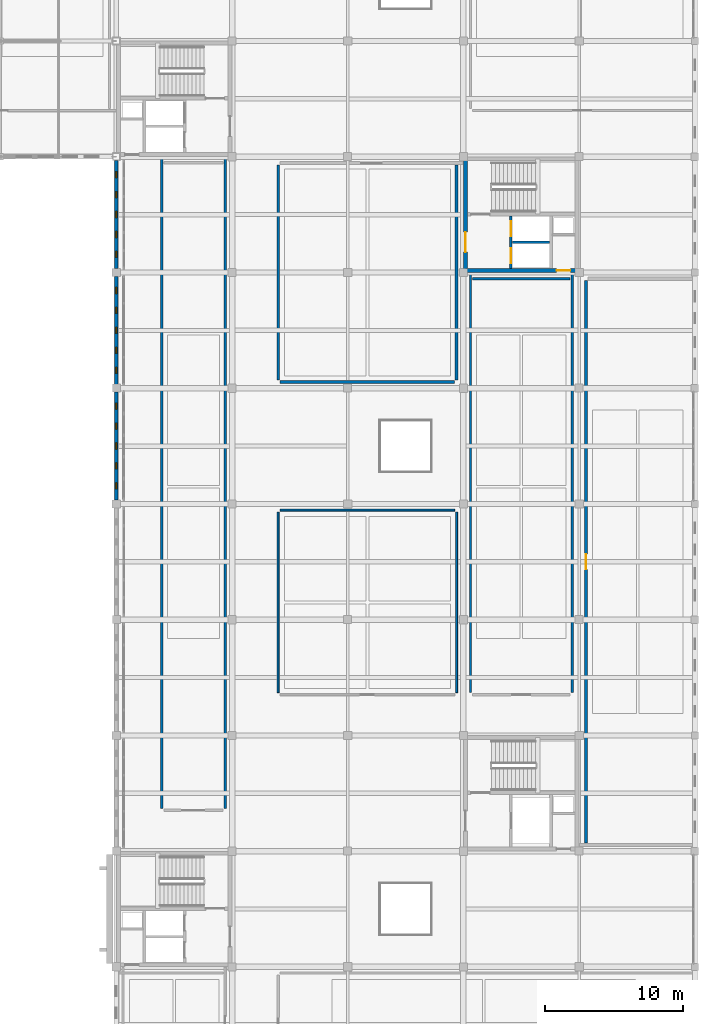
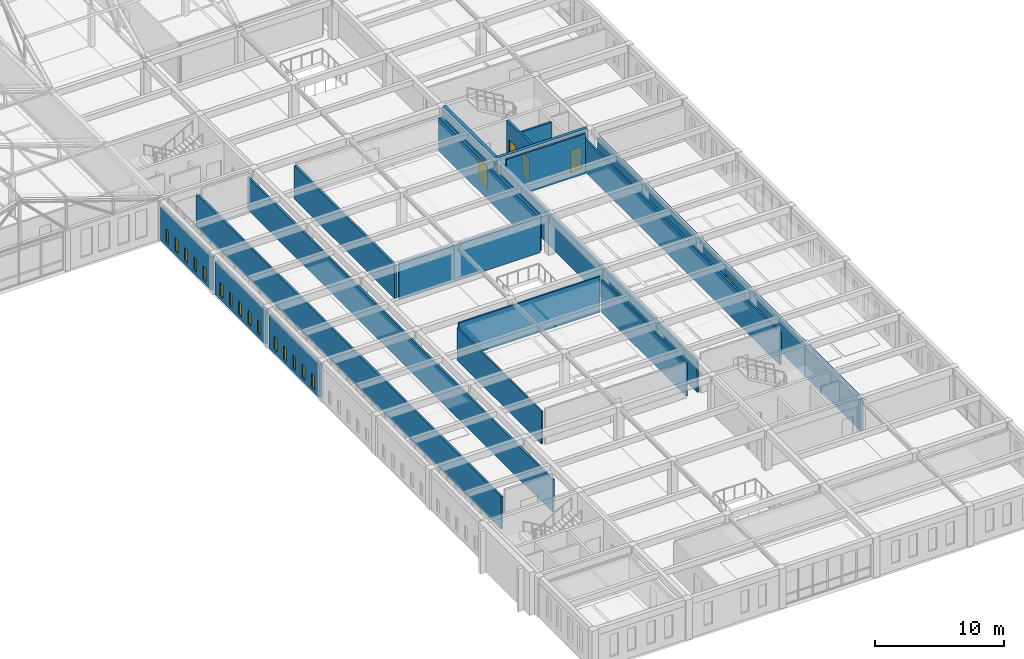
# One storey, part 45 of 56: 19 walls, 15 windows, 5 doors, 20 openings.
"""IFC4 building model written with IfcOpenShell, lengths in metres."""

from ifc_helpers import new_model, si_unit, direction, frame, frame_2d, origin, place, context, subcontext, project, spatial, rectangle, extrude, material, layer, layer_set, type_object, element, fill, save


model = new_model("IFC4")

# Units and contexts
model_context = context("Model", 3, precision=1e-05, world=origin(), true_north=direction((0.0, 1.0)))
body_context = subcontext(model_context, "Body", "Model", "MODEL_VIEW")
ifc_project = project(units=[si_unit("LENGTHUNIT", "METRE"), si_unit("AREAUNIT", "SQUARE_METRE"), si_unit("VOLUMEUNIT", "CUBIC_METRE"), si_unit("PLANEANGLEUNIT", "RADIAN"), si_unit("MASSUNIT", "GRAM", prefix="KILO")], contexts=[model_context])

# Site, building, storey
site_placement = place(None, origin())
site = spatial("IfcSite", under=ifc_project, at=site_placement, CompositionType="ELEMENT")
building_placement = place(site_placement, origin())
building = spatial("IfcBuilding", under=site, at=building_placement, Name="Kveldsbrygga Polytechnic", CompositionType="ELEMENT")
storey_placement = place(building_placement, frame((0.0, 0.0, 18.02001953125)))
storey = spatial("IfcBuildingStorey", under=building, at=storey_placement, Name="L04", CompositionType="ELEMENT", Elevation=18.02001953125)

# Wall, openings, windows
ifc_material_1 = material(Name="Fired clay brick masonry M10", Category="masonry")
ifc_layer_1 = layer(ifc_material_1, 0.239990234375)
ifc_layer_set_1 = layer_set([ifc_layer_1], Name="Fired clay brick masonry M10")
wall_type_1 = type_object("IfcWallType", Name="EW-SCRN-240", PredefinedType="SOLIDWALL", material=ifc_layer_set_1)
wall_1_placement = place(storey_placement, frame((126.0, 59.0849609375, 0.0), z_axis=(0.0, 0.0, 1.0), x_axis=(0.0, 1.0, 0.0)))
wall_1 = element("IfcWall", 1, at=wall_1_placement, inside=storey, type_object=wall_type_1, Name="Perforated Brick Corridor Screen Wall SCRW-L04-Y-15-07", PredefinedType="SOLIDWALL", context=body_context, shape_type="SweptSolid", body=[
    extrude(rectangle(XDim=7.840087890625, YDim=0.239990234375, at=frame_2d((3.919921875, 0.0))), origin(), (0.0, 0.0, 1.0), 3.179931640625),
])
opening_1_placement = place(wall_1_placement, frame((0.803955078125, 0.0, 0.35009765625)))
opening_1 = element("IfcOpeningElement", 2, at=opening_1_placement, cuts=wall_1, Name="Opening W-48", PredefinedType="OPENING", context=body_context, shape_type="SweptSolid", body=[
    extrude(rectangle(XDim=0.43994140625, YDim=1.25, at=frame_2d((0.219970703125, 0.625))), frame((0.0, 0.1298828125, 0.0), z_axis=(0.0, -1.0, 0.0), x_axis=(1.0, 0.0, 0.0)), (0.0, 0.0, 1.0), 0.260009765625),
])
opening_2_placement = place(wall_1_placement, frame((2.251953125, 0.0, 0.35009765625)))
opening_2 = element("IfcOpeningElement", 3, at=opening_2_placement, cuts=wall_1, Name="Opening W-48", PredefinedType="OPENING", context=body_context, shape_type="SweptSolid", body=[
    extrude(rectangle(XDim=0.43994140625, YDim=1.25, at=frame_2d((0.219970703125, 0.625))), frame((0.0, 0.1298828125, 0.0), z_axis=(0.0, -1.0, 0.0), x_axis=(1.0, 0.0, 0.0)), (0.0, 0.0, 1.0), 0.260009765625),
])
opening_3_placement = place(wall_1_placement, frame((3.699951171875, 0.0, 0.35009765625)))
opening_3 = element("IfcOpeningElement", 4, at=opening_3_placement, cuts=wall_1, Name="Opening W-48", PredefinedType="OPENING", context=body_context, shape_type="SweptSolid", body=[
    extrude(rectangle(XDim=0.43994140625, YDim=1.25, at=frame_2d((0.219970703125, 0.625))), frame((0.0, 0.1298828125, 0.0), z_axis=(0.0, -1.0, 0.0), x_axis=(1.0, 0.0, 0.0)), (0.0, 0.0, 1.0), 0.260009765625),
])
opening_4_placement = place(wall_1_placement, frame((5.14794921875, 0.0, 0.35009765625)))
opening_4 = element("IfcOpeningElement", 5, at=opening_4_placement, cuts=wall_1, Name="Opening W-48", PredefinedType="OPENING", context=body_context, shape_type="SweptSolid", body=[
    extrude(rectangle(XDim=0.43994140625, YDim=1.25, at=frame_2d((0.219970703125, 0.625))), frame((0.0, 0.1298828125, 0.0), z_axis=(0.0, -1.0, 0.0), x_axis=(1.0, 0.0, 0.0)), (0.0, 0.0, 1.0), 0.260009765625),
])
opening_5_placement = place(wall_1_placement, frame((6.595947265625, 0.0, 0.35009765625)))
opening_5 = element("IfcOpeningElement", 6, at=opening_5_placement, cuts=wall_1, Name="Opening W-48", PredefinedType="OPENING", context=body_context, shape_type="SweptSolid", body=[
    extrude(rectangle(XDim=0.43994140625, YDim=1.25, at=frame_2d((0.219970703125, 0.625))), frame((0.0, 0.1298828125, 0.0), z_axis=(0.0, -1.0, 0.0), x_axis=(1.0, 0.0, 0.0)), (0.0, 0.0, 1.0), 0.260009765625),
])
ifc_material_2 = material(Name="Insulated triple low-E glass", Category="glass")
window_type = type_object("IfcWindowType", Name="WN-SCRN-044x125", PartitioningType="SINGLE_PANEL", PredefinedType="WINDOW", material=ifc_material_2)
window_1_placement = place(opening_1_placement, origin())
window_1 = element("IfcWindow", 7, at=window_1_placement, inside=storey, type_object=window_type, Name="Perforated Screen Aperture L04-Y-15-07-1", OverallHeight=1.25, OverallWidth=0.43994140625, PartitioningType="SINGLE_PANEL", PredefinedType="WINDOW", context=body_context, shape_type="SweptSolid", body=[
    extrude(rectangle(XDim=0.43994140625, YDim=1.25, at=frame_2d((0.219970703125, 0.625))), frame((0.0, 0.030029296875, 0.0), z_axis=(0.0, -1.0, 0.0), x_axis=(1.0, 0.0, 0.0)), (0.0, 0.0, 1.0), 0.06005859375),
])
fill(opening_1, window_1)
window_2_placement = place(opening_2_placement, origin())
window_2 = element("IfcWindow", 8, at=window_2_placement, inside=storey, type_object=window_type, Name="Perforated Screen Aperture L04-Y-15-07-2", OverallHeight=1.25, OverallWidth=0.43994140625, PartitioningType="SINGLE_PANEL", PredefinedType="WINDOW", context=body_context, shape_type="SweptSolid", body=[
    extrude(rectangle(XDim=0.43994140625, YDim=1.25, at=frame_2d((0.219970703125, 0.625))), frame((0.0, 0.030029296875, 0.0), z_axis=(0.0, -1.0, 0.0), x_axis=(1.0, 0.0, 0.0)), (0.0, 0.0, 1.0), 0.06005859375),
])
fill(opening_2, window_2)
window_3_placement = place(opening_3_placement, origin())
window_3 = element("IfcWindow", 9, at=window_3_placement, inside=storey, type_object=window_type, Name="Perforated Screen Aperture L04-Y-15-07-3", OverallHeight=1.25, OverallWidth=0.43994140625, PartitioningType="SINGLE_PANEL", PredefinedType="WINDOW", context=body_context, shape_type="SweptSolid", body=[
    extrude(rectangle(XDim=0.43994140625, YDim=1.25, at=frame_2d((0.219970703125, 0.625))), frame((0.0, 0.030029296875, 0.0), z_axis=(0.0, -1.0, 0.0), x_axis=(1.0, 0.0, 0.0)), (0.0, 0.0, 1.0), 0.06005859375),
])
fill(opening_3, window_3)
window_4_placement = place(opening_4_placement, origin())
window_4 = element("IfcWindow", 10, at=window_4_placement, inside=storey, type_object=window_type, Name="Perforated Screen Aperture L04-Y-15-07-4", OverallHeight=1.25, OverallWidth=0.43994140625, PartitioningType="SINGLE_PANEL", PredefinedType="WINDOW", context=body_context, shape_type="SweptSolid", body=[
    extrude(rectangle(XDim=0.43994140625, YDim=1.25, at=frame_2d((0.219970703125, 0.625))), frame((0.0, 0.030029296875, 0.0), z_axis=(0.0, -1.0, 0.0), x_axis=(1.0, 0.0, 0.0)), (0.0, 0.0, 1.0), 0.06005859375),
])
fill(opening_4, window_4)
window_5_placement = place(opening_5_placement, origin())
window_5 = element("IfcWindow", 11, at=window_5_placement, inside=storey, type_object=window_type, Name="Perforated Screen Aperture L04-Y-15-07-5", OverallHeight=1.25, OverallWidth=0.43994140625, PartitioningType="SINGLE_PANEL", PredefinedType="WINDOW", context=body_context, shape_type="SweptSolid", body=[
    extrude(rectangle(XDim=0.43994140625, YDim=1.25, at=frame_2d((0.219970703125, 0.625))), frame((0.0, 0.030029296875, 0.0), z_axis=(0.0, -1.0, 0.0), x_axis=(1.0, 0.0, 0.0)), (0.0, 0.0, 1.0), 0.06005859375),
])
fill(opening_5, window_5)

wall_2_placement = place(storey_placement, frame((126.0, 67.47509765625, 0.0), z_axis=(0.0, 0.0, 1.0), x_axis=(0.0, 1.0, 0.0)))
wall_2 = element("IfcWall", 12, at=wall_2_placement, inside=storey, type_object=wall_type_1, Name="Perforated Brick Corridor Screen Wall SCRW-L04-Y-15-08", PredefinedType="SOLIDWALL", context=body_context, shape_type="SweptSolid", body=[
    extrude(rectangle(XDim=7.83984375, YDim=0.239990234375, at=frame_2d((3.919921875, 0.0))), origin(), (0.0, 0.0, 1.0), 3.179931640625),
])
opening_6_placement = place(wall_2_placement, frame((0.803955078125, 0.0, 0.35009765625)))
opening_6 = element("IfcOpeningElement", 13, at=opening_6_placement, cuts=wall_2, Name="Opening W-48", PredefinedType="OPENING", context=body_context, shape_type="SweptSolid", body=[
    extrude(rectangle(XDim=0.43994140625, YDim=1.25, at=frame_2d((0.219970703125, 0.625))), frame((0.0, 0.1298828125, 0.0), z_axis=(0.0, -1.0, 0.0), x_axis=(1.0, 0.0, 0.0)), (0.0, 0.0, 1.0), 0.260009765625),
])
opening_7_placement = place(wall_2_placement, frame((2.251953125, 0.0, 0.35009765625)))
opening_7 = element("IfcOpeningElement", 14, at=opening_7_placement, cuts=wall_2, Name="Opening W-48", PredefinedType="OPENING", context=body_context, shape_type="SweptSolid", body=[
    extrude(rectangle(XDim=0.43994140625, YDim=1.25, at=frame_2d((0.219970703125, 0.625))), frame((0.0, 0.1298828125, 0.0), z_axis=(0.0, -1.0, 0.0), x_axis=(1.0, 0.0, 0.0)), (0.0, 0.0, 1.0), 0.260009765625),
])
opening_8_placement = place(wall_2_placement, frame((3.699951171875, 0.0, 0.35009765625)))
opening_8 = element("IfcOpeningElement", 15, at=opening_8_placement, cuts=wall_2, Name="Opening W-48", PredefinedType="OPENING", context=body_context, shape_type="SweptSolid", body=[
    extrude(rectangle(XDim=0.43994140625, YDim=1.25, at=frame_2d((0.219970703125, 0.625))), frame((0.0, 0.1298828125, 0.0), z_axis=(0.0, -1.0, 0.0), x_axis=(1.0, 0.0, 0.0)), (0.0, 0.0, 1.0), 0.260009765625),
])
opening_9_placement = place(wall_2_placement, frame((5.14794921875, 0.0, 0.35009765625)))
opening_9 = element("IfcOpeningElement", 16, at=opening_9_placement, cuts=wall_2, Name="Opening W-48", PredefinedType="OPENING", context=body_context, shape_type="SweptSolid", body=[
    extrude(rectangle(XDim=0.43994140625, YDim=1.25, at=frame_2d((0.219970703125, 0.625))), frame((0.0, 0.1298828125, 0.0), z_axis=(0.0, -1.0, 0.0), x_axis=(1.0, 0.0, 0.0)), (0.0, 0.0, 1.0), 0.260009765625),
])
opening_10_placement = place(wall_2_placement, frame((6.595947265625, 0.0, 0.35009765625)))
opening_10 = element("IfcOpeningElement", 17, at=opening_10_placement, cuts=wall_2, Name="Opening W-48", PredefinedType="OPENING", context=body_context, shape_type="SweptSolid", body=[
    extrude(rectangle(XDim=0.43994140625, YDim=1.25, at=frame_2d((0.219970703125, 0.625))), frame((0.0, 0.1298828125, 0.0), z_axis=(0.0, -1.0, 0.0), x_axis=(1.0, 0.0, 0.0)), (0.0, 0.0, 1.0), 0.260009765625),
])
window_6_placement = place(opening_6_placement, origin())
window_6 = element("IfcWindow", 18, at=window_6_placement, inside=storey, type_object=window_type, Name="Perforated Screen Aperture L04-Y-15-08-1", OverallHeight=1.25, OverallWidth=0.43994140625, PartitioningType="SINGLE_PANEL", PredefinedType="WINDOW", context=body_context, shape_type="SweptSolid", body=[
    extrude(rectangle(XDim=0.43994140625, YDim=1.25, at=frame_2d((0.219970703125, 0.625))), frame((0.0, 0.030029296875, 0.0), z_axis=(0.0, -1.0, 0.0), x_axis=(1.0, 0.0, 0.0)), (0.0, 0.0, 1.0), 0.06005859375),
])
fill(opening_6, window_6)
window_7_placement = place(opening_7_placement, origin())
window_7 = element("IfcWindow", 19, at=window_7_placement, inside=storey, type_object=window_type, Name="Perforated Screen Aperture L04-Y-15-08-2", OverallHeight=1.25, OverallWidth=0.43994140625, PartitioningType="SINGLE_PANEL", PredefinedType="WINDOW", context=body_context, shape_type="SweptSolid", body=[
    extrude(rectangle(XDim=0.43994140625, YDim=1.25, at=frame_2d((0.219970703125, 0.625))), frame((0.0, 0.030029296875, 0.0), z_axis=(0.0, -1.0, 0.0), x_axis=(1.0, 0.0, 0.0)), (0.0, 0.0, 1.0), 0.06005859375),
])
fill(opening_7, window_7)
window_8_placement = place(opening_8_placement, origin())
window_8 = element("IfcWindow", 20, at=window_8_placement, inside=storey, type_object=window_type, Name="Perforated Screen Aperture L04-Y-15-08-3", OverallHeight=1.25, OverallWidth=0.43994140625, PartitioningType="SINGLE_PANEL", PredefinedType="WINDOW", context=body_context, shape_type="SweptSolid", body=[
    extrude(rectangle(XDim=0.43994140625, YDim=1.25, at=frame_2d((0.219970703125, 0.625))), frame((0.0, 0.030029296875, 0.0), z_axis=(0.0, -1.0, 0.0), x_axis=(1.0, 0.0, 0.0)), (0.0, 0.0, 1.0), 0.06005859375),
])
fill(opening_8, window_8)
window_9_placement = place(opening_9_placement, origin())
window_9 = element("IfcWindow", 21, at=window_9_placement, inside=storey, type_object=window_type, Name="Perforated Screen Aperture L04-Y-15-08-4", OverallHeight=1.25, OverallWidth=0.43994140625, PartitioningType="SINGLE_PANEL", PredefinedType="WINDOW", context=body_context, shape_type="SweptSolid", body=[
    extrude(rectangle(XDim=0.43994140625, YDim=1.25, at=frame_2d((0.219970703125, 0.625))), frame((0.0, 0.030029296875, 0.0), z_axis=(0.0, -1.0, 0.0), x_axis=(1.0, 0.0, 0.0)), (0.0, 0.0, 1.0), 0.06005859375),
])
fill(opening_9, window_9)
window_10_placement = place(opening_10_placement, origin())
window_10 = element("IfcWindow", 22, at=window_10_placement, inside=storey, type_object=window_type, Name="Perforated Screen Aperture L04-Y-15-08-5", OverallHeight=1.25, OverallWidth=0.43994140625, PartitioningType="SINGLE_PANEL", PredefinedType="WINDOW", context=body_context, shape_type="SweptSolid", body=[
    extrude(rectangle(XDim=0.43994140625, YDim=1.25, at=frame_2d((0.219970703125, 0.625))), frame((0.0, 0.030029296875, 0.0), z_axis=(0.0, -1.0, 0.0), x_axis=(1.0, 0.0, 0.0)), (0.0, 0.0, 1.0), 0.06005859375),
])
fill(opening_10, window_10)

wall_3_placement = place(storey_placement, frame((126.0, 75.885009765625, 0.0), z_axis=(0.0, 0.0, 1.0), x_axis=(0.0, 1.0, 0.0)))
wall_3 = element("IfcWall", 23, at=wall_3_placement, inside=storey, type_object=wall_type_1, Name="Perforated Brick Corridor Screen Wall SCRW-L04-Y-15-09", PredefinedType="SOLIDWALL", context=body_context, shape_type="SweptSolid", body=[
    extrude(rectangle(XDim=7.840087890625, YDim=0.239990234375, at=frame_2d((3.919921875, 0.0))), origin(), (0.0, 0.0, 1.0), 3.179931640625),
])
opening_11_placement = place(wall_3_placement, frame((0.803955078125, 0.0, 0.35009765625)))
opening_11 = element("IfcOpeningElement", 24, at=opening_11_placement, cuts=wall_3, Name="Opening W-48", PredefinedType="OPENING", context=body_context, shape_type="SweptSolid", body=[
    extrude(rectangle(XDim=0.43994140625, YDim=1.25, at=frame_2d((0.219970703125, 0.625))), frame((0.0, 0.1298828125, 0.0), z_axis=(0.0, -1.0, 0.0), x_axis=(1.0, 0.0, 0.0)), (0.0, 0.0, 1.0), 0.260009765625),
])
opening_12_placement = place(wall_3_placement, frame((2.251953125, 0.0, 0.35009765625)))
opening_12 = element("IfcOpeningElement", 25, at=opening_12_placement, cuts=wall_3, Name="Opening W-48", PredefinedType="OPENING", context=body_context, shape_type="SweptSolid", body=[
    extrude(rectangle(XDim=0.43994140625, YDim=1.25, at=frame_2d((0.219970703125, 0.625))), frame((0.0, 0.1298828125, 0.0), z_axis=(0.0, -1.0, 0.0), x_axis=(1.0, 0.0, 0.0)), (0.0, 0.0, 1.0), 0.260009765625),
])
opening_13_placement = place(wall_3_placement, frame((3.699951171875, 0.0, 0.35009765625)))
opening_13 = element("IfcOpeningElement", 26, at=opening_13_placement, cuts=wall_3, Name="Opening W-48", PredefinedType="OPENING", context=body_context, shape_type="SweptSolid", body=[
    extrude(rectangle(XDim=0.43994140625, YDim=1.25, at=frame_2d((0.219970703125, 0.625))), frame((0.0, 0.1298828125, 0.0), z_axis=(0.0, -1.0, 0.0), x_axis=(1.0, 0.0, 0.0)), (0.0, 0.0, 1.0), 0.260009765625),
])
opening_14_placement = place(wall_3_placement, frame((5.14794921875, 0.0, 0.35009765625)))
opening_14 = element("IfcOpeningElement", 27, at=opening_14_placement, cuts=wall_3, Name="Opening W-48", PredefinedType="OPENING", context=body_context, shape_type="SweptSolid", body=[
    extrude(rectangle(XDim=0.43994140625, YDim=1.25, at=frame_2d((0.219970703125, 0.625))), frame((0.0, 0.1298828125, 0.0), z_axis=(0.0, -1.0, 0.0), x_axis=(1.0, 0.0, 0.0)), (0.0, 0.0, 1.0), 0.260009765625),
])
opening_15_placement = place(wall_3_placement, frame((6.595947265625, 0.0, 0.35009765625)))
opening_15 = element("IfcOpeningElement", 28, at=opening_15_placement, cuts=wall_3, Name="Opening W-48", PredefinedType="OPENING", context=body_context, shape_type="SweptSolid", body=[
    extrude(rectangle(XDim=0.43994140625, YDim=1.25, at=frame_2d((0.219970703125, 0.625))), frame((0.0, 0.1298828125, 0.0), z_axis=(0.0, -1.0, 0.0), x_axis=(1.0, 0.0, 0.0)), (0.0, 0.0, 1.0), 0.260009765625),
])
window_11_placement = place(opening_11_placement, origin())
window_11 = element("IfcWindow", 29, at=window_11_placement, inside=storey, type_object=window_type, Name="Perforated Screen Aperture L04-Y-15-09-1", OverallHeight=1.25, OverallWidth=0.43994140625, PartitioningType="SINGLE_PANEL", PredefinedType="WINDOW", context=body_context, shape_type="SweptSolid", body=[
    extrude(rectangle(XDim=0.43994140625, YDim=1.25, at=frame_2d((0.219970703125, 0.625))), frame((0.0, 0.030029296875, 0.0), z_axis=(0.0, -1.0, 0.0), x_axis=(1.0, 0.0, 0.0)), (0.0, 0.0, 1.0), 0.06005859375),
])
fill(opening_11, window_11)
window_12_placement = place(opening_12_placement, origin())
window_12 = element("IfcWindow", 30, at=window_12_placement, inside=storey, type_object=window_type, Name="Perforated Screen Aperture L04-Y-15-09-2", OverallHeight=1.25, OverallWidth=0.43994140625, PartitioningType="SINGLE_PANEL", PredefinedType="WINDOW", context=body_context, shape_type="SweptSolid", body=[
    extrude(rectangle(XDim=0.43994140625, YDim=1.25, at=frame_2d((0.219970703125, 0.625))), frame((0.0, 0.030029296875, 0.0), z_axis=(0.0, -1.0, 0.0), x_axis=(1.0, 0.0, 0.0)), (0.0, 0.0, 1.0), 0.06005859375),
])
fill(opening_12, window_12)
window_13_placement = place(opening_13_placement, origin())
window_13 = element("IfcWindow", 31, at=window_13_placement, inside=storey, type_object=window_type, Name="Perforated Screen Aperture L04-Y-15-09-3", OverallHeight=1.25, OverallWidth=0.43994140625, PartitioningType="SINGLE_PANEL", PredefinedType="WINDOW", context=body_context, shape_type="SweptSolid", body=[
    extrude(rectangle(XDim=0.43994140625, YDim=1.25, at=frame_2d((0.219970703125, 0.625))), frame((0.0, 0.030029296875, 0.0), z_axis=(0.0, -1.0, 0.0), x_axis=(1.0, 0.0, 0.0)), (0.0, 0.0, 1.0), 0.06005859375),
])
fill(opening_13, window_13)
window_14_placement = place(opening_14_placement, origin())
window_14 = element("IfcWindow", 32, at=window_14_placement, inside=storey, type_object=window_type, Name="Perforated Screen Aperture L04-Y-15-09-4", OverallHeight=1.25, OverallWidth=0.43994140625, PartitioningType="SINGLE_PANEL", PredefinedType="WINDOW", context=body_context, shape_type="SweptSolid", body=[
    extrude(rectangle(XDim=0.43994140625, YDim=1.25, at=frame_2d((0.219970703125, 0.625))), frame((0.0, 0.030029296875, 0.0), z_axis=(0.0, -1.0, 0.0), x_axis=(1.0, 0.0, 0.0)), (0.0, 0.0, 1.0), 0.06005859375),
])
fill(opening_14, window_14)
window_15_placement = place(opening_15_placement, origin())
window_15 = element("IfcWindow", 33, at=window_15_placement, inside=storey, type_object=window_type, Name="Perforated Screen Aperture L04-Y-15-09-5", OverallHeight=1.25, OverallWidth=0.43994140625, PartitioningType="SINGLE_PANEL", PredefinedType="WINDOW", context=body_context, shape_type="SweptSolid", body=[
    extrude(rectangle(XDim=0.43994140625, YDim=1.25, at=frame_2d((0.219970703125, 0.625))), frame((0.0, 0.030029296875, 0.0), z_axis=(0.0, -1.0, 0.0), x_axis=(1.0, 0.0, 0.0)), (0.0, 0.0, 1.0), 0.06005859375),
])
fill(opening_15, window_15)

# Wall, opening, door
ifc_layer_2 = layer(ifc_material_1, 0.239990234375)
ifc_layer_set_2 = layer_set([ifc_layer_2], Name="Fired clay brick masonry M10")
wall_type_2 = type_object("IfcWallType", Name="IW-COMP-240", PredefinedType="PARTITIONING", material=ifc_layer_set_2)
wall_4_placement = place(storey_placement, frame((160.10009765625, 34.199951171875, 0.0), z_axis=(0.0, 0.0, 1.0), x_axis=(0.0, 1.0, 0.0)))
wall_4 = element("IfcWall", 34, at=wall_4_placement, inside=storey, type_object=wall_type_2, Name="Partition Wall IW-SP-L04-STK2-W1", PredefinedType="PARTITIONING", context=body_context, shape_type="SweptSolid", body=[
    extrude(rectangle(XDim=40.800048828125, YDim=0.239990234375, at=frame_2d((20.39990234375, 0.0))), origin(), (0.0, 0.0, 1.0), 3.080078125),
])
opening_16_placement = place(wall_4_placement, frame((19.85009765625, 0.0, 0.0)))
opening_16 = element("IfcOpeningElement", 35, at=opening_16_placement, cuts=wall_4, Name="Opening ID-L04-084", PredefinedType="OPENING", context=body_context, shape_type="SweptSolid", body=[
    extrude(rectangle(XDim=1.10009765625, YDim=2.14990234375, at=frame_2d((0.550048828125, 1.074951171875))), frame((0.0, 0.1298828125, 0.0), z_axis=(0.0, -1.0, 0.0), x_axis=(1.0, 0.0, 0.0)), (0.0, 0.0, 1.0), 0.260009765625),
])
ifc_material_3 = material(Name="Powder-coated galvanised steel", Category="steel")
door_type_1 = type_object("IfcDoorType", Name="ID-STK-110x215", OperationType="NOTDEFINED", PredefinedType="DOOR", material=ifc_material_3)
door_1_placement = place(opening_16_placement, origin())
door_1 = element("IfcDoor", 36, at=door_1_placement, inside=storey, type_object=door_type_1, Name="Interior Door ID-L04-084", OperationType="SINGLE_SWING_RIGHT", OverallHeight=2.14990234375, OverallWidth=1.10009765625, PredefinedType="DOOR", context=body_context, shape_type="SweptSolid", body=[
    extrude(rectangle(XDim=1.10009765625, YDim=2.14990234375, at=frame_2d((0.550048828125, 1.074951171875))), frame((0.0, 0.02490234375, 0.0), z_axis=(0.0, -1.0, 0.0), x_axis=(1.0, 0.0, 0.0)), (0.0, 0.0, 1.0), 0.050048828125),
])
fill(opening_16, door_1)

# Walls
ifc_material_4 = material(Name="Gypsum acoustic stud partition")
ifc_layer_3 = layer(ifc_material_4, 0.179931640625)
ifc_layer_set_3 = layer_set([ifc_layer_3], Name="Gypsum acoustic stud partition")
wall_type_3 = type_object("IfcWallType", Name="IW-CORR-180", PredefinedType="PARTITIONING", material=ifc_layer_set_3)
for number, where, z_axis, x_axis, name in (
    (37, (129.300048828125, 36.699951171875, 0.0), (0.0, 0.0, 1.0), (0.0, 1.0, 0.0), "Partition Wall IW-SP-L04-COM2-W1"),
    (38, (133.89990234375, 36.699951171875, 0.0), (0.0, 0.0, 1.0), (0.0, 1.0, 0.0), "Partition Wall IW-SP-L04-COM2-E1"),
):
    element("IfcWall", number, at=place(storey_placement, frame(where, z_axis=z_axis, x_axis=x_axis)), inside=storey, type_object=wall_type_3, Name=name, PredefinedType="PARTITIONING", context=body_context, shape_type="SweptSolid", body=[
        extrude(rectangle(XDim=47.27001953125, YDim=0.179931640625, at=frame_2d((23.635009765625, 0.0))), origin(), (0.0, 0.0, 1.0), 3.080078125),
    ])
ifc_layer_4 = layer(ifc_material_1, 0.199951171875)
ifc_layer_set_4 = layer_set([ifc_layer_4], Name="Fired clay brick masonry M10")
wall_type_4 = type_object("IfcWallType", Name="IW-LAB-200", PredefinedType="PARTITIONING", material=ifc_layer_set_4)
for number, where, z_axis, x_axis, name in (
    (39, (137.75, 67.800048828125, 0.0), (0.0, 0.0, 1.0), (0.0, 1.0, 0.0), "Partition Wall IW-SP-L04-LAB41-W1"),
    (40, (150.699951171875, 67.800048828125, 0.0), (0.0, 0.0, 1.0), (0.0, 1.0, 0.0), "Partition Wall IW-SP-L04-LAB41-E1"),
):
    element("IfcWall", number, at=place(storey_placement, frame(where, z_axis=z_axis, x_axis=x_axis)), inside=storey, type_object=wall_type_4, Name=name, PredefinedType="PARTITIONING", context=body_context, shape_type="SweptSolid", body=[
        extrude(rectangle(XDim=15.599853515625, YDim=0.199951171875, at=frame_2d((7.7998046875, 0.0))), origin(), (0.0, 0.0, 1.0), 3.159912109375),
    ])
wall_5_placement = place(storey_placement, frame((137.89990234375, 67.64990234375, 0.0), z_axis=(0.0, 0.0, 1.0), x_axis=(1.0, 0.0, 0.0)))
element("IfcWall", 41, at=wall_5_placement, inside=storey, type_object=wall_type_4, Name="Partition Wall IW-SP-L04-LAB41-S1", PredefinedType="PARTITIONING", context=body_context, shape_type="SweptSolid", body=[
    extrude(rectangle(XDim=12.650146484375, YDim=0.199951171875, at=frame_2d((6.3251953125, 0.0))), origin(), (0.0, 0.0, 1.0), 3.3798828125),
])
ifc_layer_5 = layer(ifc_material_4, 0.139892578125)
ifc_layer_set_5 = layer_set([ifc_layer_5], Name="Gypsum acoustic stud partition")
wall_type_5 = type_object("IfcWallType", Name="IW-OFF-140", PredefinedType="PARTITIONING", material=ifc_layer_set_5)
wall_6_placement = place(storey_placement, frame((137.75, 45.10009765625, 0.0), z_axis=(0.0, 0.0, 1.0), x_axis=(0.0, 1.0, 0.0)))
element("IfcWall", 42, at=wall_6_placement, inside=storey, type_object=wall_type_5, Name="Partition Wall IW-SP-L04-OFF41-W1", PredefinedType="PARTITIONING", context=body_context, shape_type="SweptSolid", body=[
    extrude(rectangle(XDim=13.099853515625, YDim=0.139892578125, at=frame_2d((6.5498046875, 0.0))), origin(), (0.0, 0.0, 1.0), 3.080078125),
])
wall_7_placement = place(storey_placement, frame((137.89990234375, 58.35009765625, 0.0), z_axis=(0.0, 0.0, 1.0), x_axis=(1.0, 0.0, 0.0)))
element("IfcWall", 43, at=wall_7_placement, inside=storey, type_object=wall_type_5, Name="Partition Wall IW-SP-L04-OFF41-N1", PredefinedType="PARTITIONING", context=body_context, shape_type="SweptSolid", body=[
    extrude(rectangle(XDim=12.650146484375, YDim=0.139892578125, at=frame_2d((6.3251953125, 0.0))), origin(), (0.0, 0.0, 1.0), 3.3798828125),
])
wall_8_placement = place(storey_placement, frame((150.699951171875, 45.10009765625, 0.0), z_axis=(0.0, 0.0, 1.0), x_axis=(0.0, 1.0, 0.0)))
element("IfcWall", 44, at=wall_8_placement, inside=storey, type_object=wall_type_5, Name="Partition Wall IW-SP-L04-OFF41-E1", PredefinedType="PARTITIONING", context=body_context, shape_type="SweptSolid", body=[
    extrude(rectangle(XDim=13.099853515625, YDim=0.139892578125, at=frame_2d((6.5498046875, 0.0))), origin(), (0.0, 0.0, 1.0), 3.080078125),
])
ifc_layer_6 = layer(ifc_material_4, 0.159912109375)
ifc_layer_set_6 = layer_set([ifc_layer_6], Name="Gypsum acoustic stud partition")
wall_type_6 = type_object("IfcWallType", Name="IW-STD-160", PredefinedType="PARTITIONING", material=ifc_layer_set_6)
wall_9_placement = place(storey_placement, frame((151.85009765625, 75.14990234375, 0.0), z_axis=(0.0, 0.0, 1.0), x_axis=(1.0, 0.0, 0.0)))
element("IfcWall", 45, at=wall_9_placement, inside=storey, type_object=wall_type_6, Name="Partition Wall IW-SP-L04-STD43-N1", PredefinedType="PARTITIONING", context=body_context, shape_type="SweptSolid", body=[
    extrude(rectangle(XDim=7.099853515625, YDim=0.159912109375, at=frame_2d((3.5498046875, 0.0))), origin(), (0.0, 0.0, 1.0), 3.780029296875),
])
for number, where, z_axis, x_axis, name in (
    (46, (151.699951171875, 45.10009765625, 0.0), (0.0, 0.0, 1.0), (0.0, 1.0, 0.0), "Partition Wall IW-SP-L04-STD43-W1"),
    (47, (159.10009765625, 45.10009765625, 0.0), (0.0, 0.0, 1.0), (0.0, 1.0, 0.0), "Partition Wall IW-SP-L04-STD43-E1"),
):
    element("IfcWall", number, at=place(storey_placement, frame(where, z_axis=z_axis, x_axis=x_axis)), inside=storey, type_object=wall_type_6, Name=name, PredefinedType="PARTITIONING", context=body_context, shape_type="SweptSolid", body=[
        extrude(rectangle(XDim=30.469970703125, YDim=0.159912109375, at=frame_2d((15.23486328125, 0.0))), origin(), (0.0, 0.0, 1.0), 3.080078125),
    ])

# Wall, opening, door
ifc_material_5 = material(Name="Concrete C45/55", Category="concrete")
ifc_layer_7 = layer(ifc_material_5, 0.280029296875)
ifc_layer_set_7 = layer_set([ifc_layer_7], Name="Concrete C45/55")
wall_type_7 = type_object("IfcWallType", Name="WL-CORE-280", PredefinedType="SHEAR", material=ifc_layer_set_7)
wall_10_placement = place(storey_placement, frame((151.35009765625, 75.75, 0.0), z_axis=(0.0, 0.0, 1.0), x_axis=(1.0, 0.0, 0.0)))
wall_10 = element("IfcWall", 48, at=wall_10_placement, inside=storey, type_object=wall_type_7, Name="Core C4 Shear Wall C4-L04-SW-S", PredefinedType="SHEAR", context=body_context, shape_type="SweptSolid", body=[
    extrude(rectangle(XDim=8.099853515625, YDim=0.280029296875, at=frame_2d((4.0498046875, 0.0))), origin(), (0.0, 0.0, 1.0), 3.780029296875),
])
opening_17_placement = place(wall_10_placement, frame((6.614990234375, 0.0, 0.0)))
opening_17 = element("IfcOpeningElement", 49, at=opening_17_placement, cuts=wall_10, Name="Opening ID-C4-L04-AWC", PredefinedType="OPENING", context=body_context, shape_type="SweptSolid", body=[
    extrude(rectangle(XDim=1.0, YDim=2.14990234375, at=frame_2d((0.5, 1.074951171875))), frame((0.0, 0.14990234375, 0.0), z_axis=(0.0, -1.0, 0.0), x_axis=(1.0, 0.0, 0.0)), (0.0, 0.0, 1.0), 0.300048828125),
])
ifc_material_6 = material(Name="Acoustic oak timber", Category="wood")
door_type_2 = type_object("IfcDoorType", Name="ID-AWC-100x215", OperationType="NOTDEFINED", PredefinedType="DOOR", material=ifc_material_6)
door_2_placement = place(opening_17_placement, origin())
door_2 = element("IfcDoor", 50, at=door_2_placement, inside=storey, type_object=door_type_2, Name="Accessible WC Door ID-C4-L04-AWC", OperationType="SINGLE_SWING_RIGHT", OverallHeight=2.14990234375, OverallWidth=1.0, PredefinedType="DOOR", context=body_context, shape_type="SweptSolid", body=[
    extrude(rectangle(XDim=1.0, YDim=2.14990234375, at=frame_2d((0.5, 1.074951171875))), frame((0.0, 0.02490234375, 0.0), z_axis=(0.0, -1.0, 0.0), x_axis=(1.0, 0.0, 0.0)), (0.0, 0.0, 1.0), 0.050048828125),
])
fill(opening_17, door_2)

wall_11_placement = place(storey_placement, frame((151.35009765625, 75.75, 0.0), z_axis=(0.0, 0.0, 1.0), x_axis=(0.0, 1.0, 0.0)))
wall_11 = element("IfcWall", 51, at=wall_11_placement, inside=storey, type_object=wall_type_7, Name="Core C4 Shear Wall C4-L04-SW-W", PredefinedType="SHEAR", context=body_context, shape_type="SweptSolid", body=[
    extrude(rectangle(XDim=8.10009765625, YDim=0.280029296875, at=frame_2d((4.050048828125, 0.0))), origin(), (0.0, 0.0, 1.0), 3.780029296875),
])
opening_18_placement = place(wall_11_placement, frame((1.324951171875, 0.0, 0.0)))
opening_18 = element("IfcOpeningElement", 52, at=opening_18_placement, cuts=wall_11, Name="Opening FD-C4-L04-LOB", PredefinedType="OPENING", context=body_context, shape_type="SweptSolid", body=[
    extrude(rectangle(XDim=1.449951171875, YDim=2.14990234375, at=frame_2d((0.72509765625, 1.074951171875))), frame((0.0, 0.14990234375, 0.0), z_axis=(0.0, -1.0, 0.0), x_axis=(1.0, 0.0, 0.0)), (0.0, 0.0, 1.0), 0.300048828125),
])
door_type_3 = type_object("IfcDoorType", Name="ID-LOBBY-145x215", OperationType="DOUBLE_DOOR_SINGLE_SWING", PredefinedType="DOOR", material=ifc_material_3)
door_3_placement = place(opening_18_placement, origin())
door_3 = element("IfcDoor", 53, at=door_3_placement, inside=storey, type_object=door_type_3, Name="Core Lobby Fire Door FD-C4-L04-LOB", OperationType="DOUBLE_DOOR_SINGLE_SWING", OverallHeight=2.14990234375, OverallWidth=1.449951171875, PredefinedType="DOOR", context=body_context, shape_type="SweptSolid", body=[
    extrude(rectangle(XDim=1.449951171875, YDim=2.14990234375, at=frame_2d((0.72509765625, 1.074951171875))), frame((0.0, 0.02490234375, 0.0), z_axis=(0.0, -1.0, 0.0), x_axis=(1.0, 0.0, 0.0)), (0.0, 0.0, 1.0), 0.050048828125),
])
fill(opening_18, door_3)

# Wall
ifc_material_7 = material(Name="Concrete C35/45", Category="concrete")
ifc_layer_8 = layer(ifc_material_7, 0.179931640625)
ifc_layer_set_8 = layer_set([ifc_layer_8], Name="Concrete C35/45")
wall_type_8 = type_object("IfcWallType", Name="WL-SHFT-180", PredefinedType="SHEAR", material=ifc_layer_set_8)
wall_12_placement = place(storey_placement, frame((154.75, 77.800048828125, 0.0), z_axis=(0.0, 0.0, 1.0), x_axis=(1.0, 0.0, 0.0)))
element("IfcWall", 54, at=wall_12_placement, inside=storey, type_object=wall_type_8, Name="Lift Divider Wall C4-L04-W-LMID", PredefinedType="SHEAR", context=body_context, shape_type="SweptSolid", body=[
    extrude(rectangle(XDim=2.699951171875, YDim=0.179931640625, at=frame_2d((1.35009765625, 0.0))), origin(), (0.0, 0.0, 1.0), 3.780029296875),
])

# Wall, openings, doors
ifc_layer_9 = layer(ifc_material_7, 0.199951171875)
ifc_layer_set_9 = layer_set([ifc_layer_9], Name="Concrete C35/45")
wall_type_9 = type_object("IfcWallType", Name="WL-SHFT-200", PredefinedType="SHEAR", material=ifc_layer_set_9)
wall_13_placement = place(storey_placement, frame((154.639892578125, 75.89990234375, 0.0), z_axis=(0.0, 0.0, 1.0), x_axis=(0.0, 1.0, 0.0)))
wall_13 = element("IfcWall", 55, at=wall_13_placement, inside=storey, type_object=wall_type_9, Name="Lift Front Wall C4-L04-W-LFR", PredefinedType="SHEAR", context=body_context, shape_type="SweptSolid", body=[
    extrude(rectangle(XDim=3.800048828125, YDim=0.199951171875, at=frame_2d((1.89990234375, 0.0))), origin(), (0.0, 0.0, 1.0), 3.780029296875),
])
opening_19_placement = place(wall_13_placement, frame((0.375, 0.0, 0.0)))
opening_19 = element("IfcOpeningElement", 56, at=opening_19_placement, cuts=wall_13, Name="Opening LD-FL-2", PredefinedType="OPENING", context=body_context, shape_type="SweptSolid", body=[
    extrude(rectangle(XDim=1.10009765625, YDim=2.14990234375, at=frame_2d((0.550048828125, 1.074951171875))), frame((0.0, 0.10986328125, 0.0), z_axis=(0.0, -1.0, 0.0), x_axis=(1.0, 0.0, 0.0)), (0.0, 0.0, 1.0), 0.219970703125),
])
opening_20_placement = place(wall_13_placement, frame((2.324951171875, 0.0, 0.0)))
opening_20 = element("IfcOpeningElement", 57, at=opening_20_placement, cuts=wall_13, Name="Opening LD-LP-4", PredefinedType="OPENING", context=body_context, shape_type="SweptSolid", body=[
    extrude(rectangle(XDim=1.10009765625, YDim=2.14990234375, at=frame_2d((0.550048828125, 1.074951171875))), frame((0.0, 0.10986328125, 0.0), z_axis=(0.0, -1.0, 0.0), x_axis=(1.0, 0.0, 0.0)), (0.0, 0.0, 1.0), 0.219970703125),
])
ifc_material_8 = material(Name="Brushed stainless steel EN 1.4401", Category="steel")
door_type_4 = type_object("IfcDoorType", Name="LD-PAX-110x215", OperationType="SLIDING_TO_LEFT", PredefinedType="DOOR", material=ifc_material_8)
door_4_placement = place(opening_19_placement, origin())
door_4 = element("IfcDoor", 58, at=door_4_placement, inside=storey, type_object=door_type_4, Name="Lift Landing Sliding Door LD-FL-2-L04", OperationType="SLIDING_TO_LEFT", OverallHeight=2.14990234375, OverallWidth=1.10009765625, PredefinedType="DOOR", context=body_context, shape_type="SweptSolid", body=[
    extrude(rectangle(XDim=1.10009765625, YDim=2.14990234375, at=frame_2d((0.550048828125, 1.074951171875))), frame((0.0, 0.02490234375, 0.0), z_axis=(0.0, -1.0, 0.0), x_axis=(1.0, 0.0, 0.0)), (0.0, 0.0, 1.0), 0.050048828125),
])
fill(opening_19, door_4)
door_5_placement = place(opening_20_placement, origin())
door_5 = element("IfcDoor", 59, at=door_5_placement, inside=storey, type_object=door_type_4, Name="Lift Landing Sliding Door LD-LP-4-L04", OperationType="SLIDING_TO_LEFT", OverallHeight=2.14990234375, OverallWidth=1.10009765625, PredefinedType="DOOR", context=body_context, shape_type="SweptSolid", body=[
    extrude(rectangle(XDim=1.10009765625, YDim=2.14990234375, at=frame_2d((0.550048828125, 1.074951171875))), frame((0.0, 0.02490234375, 0.0), z_axis=(0.0, -1.0, 0.0), x_axis=(1.0, 0.0, 0.0)), (0.0, 0.0, 1.0), 0.050048828125),
])
fill(opening_20, door_5)

save(model, "model.ifc")
